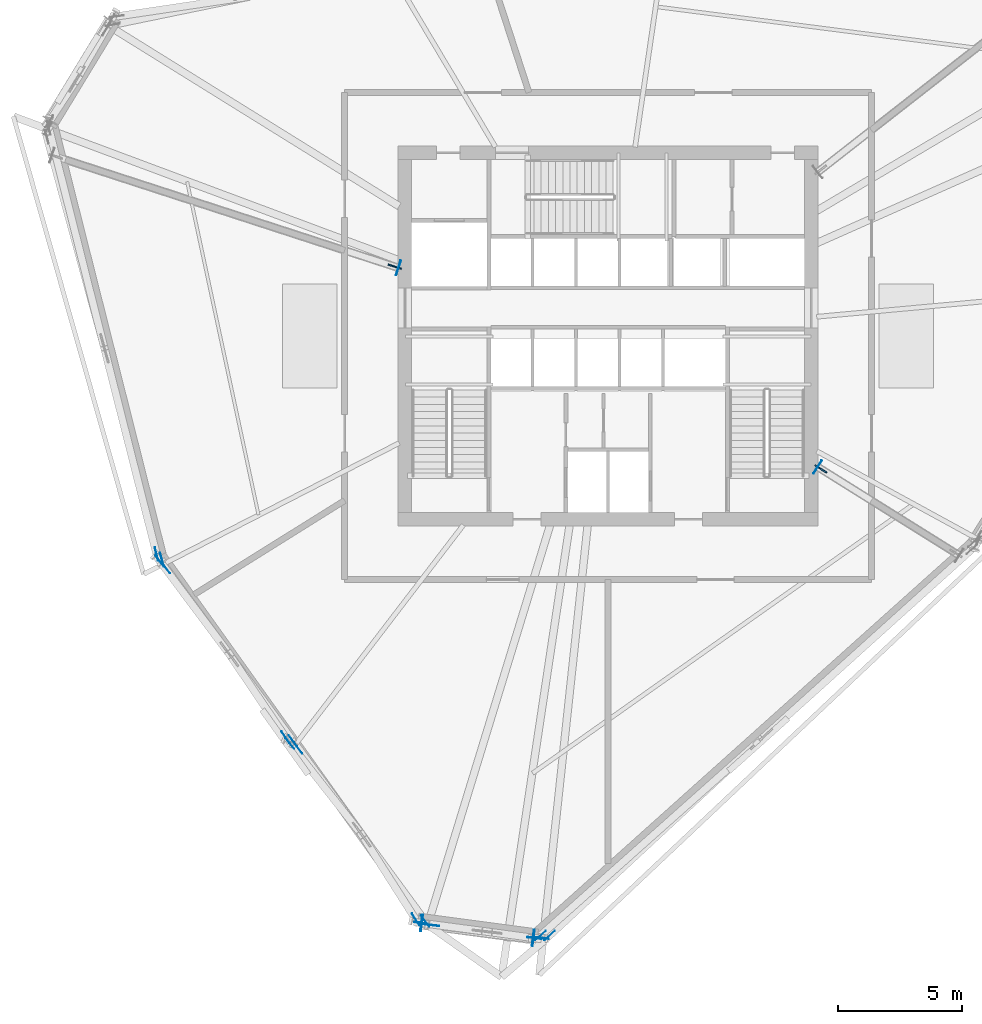
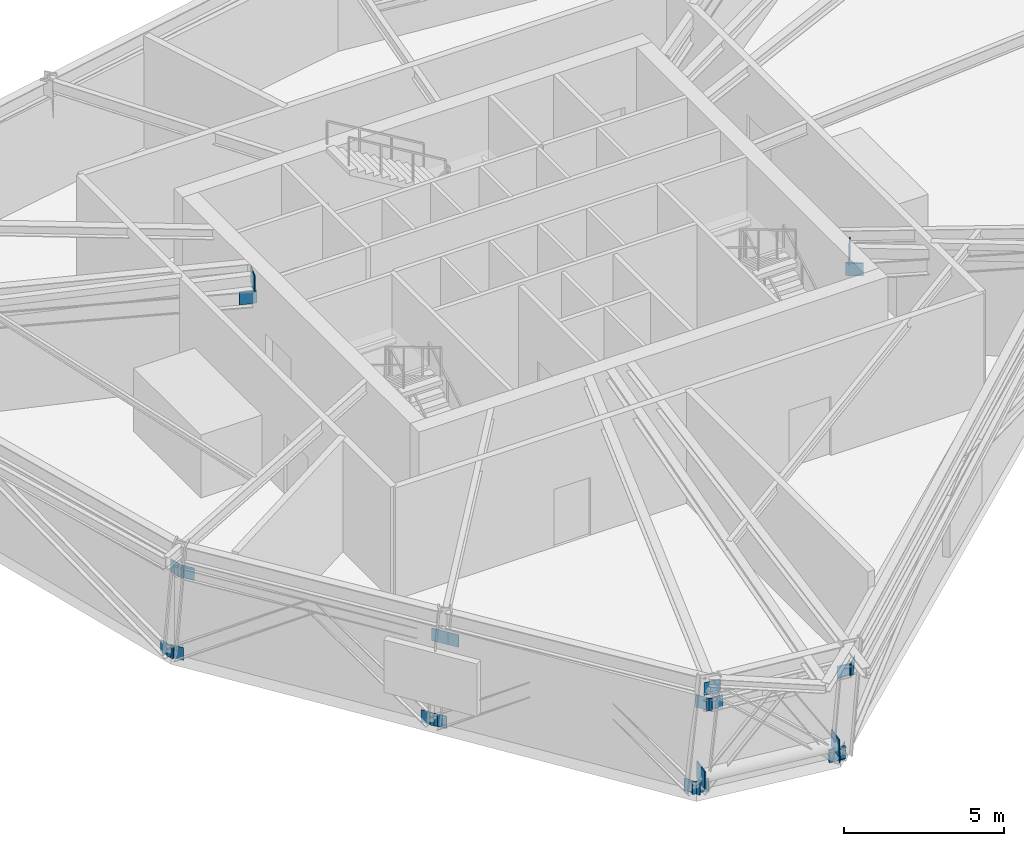
# One storey, part 5 of 14: 24 plates.
"""IFC4 building model written with IfcOpenShell, lengths in metres."""

from ifc_helpers import new_model, si_unit, direction, frame, origin, origin_2d, place, context, subcontext, project, spatial, rectangle, extrude, source, transform, mapped, material, type_object, element, save


model = new_model("IFC4")

# Units and contexts
model_context = context("Model", 3, precision=1e-05, world=origin(), true_north=direction((0.0, 1.0)))
body_context = subcontext(model_context, "Body", "Model", "MODEL_VIEW")
ifc_project = project(units=[si_unit("LENGTHUNIT", "METRE"), si_unit("AREAUNIT", "SQUARE_METRE"), si_unit("VOLUMEUNIT", "CUBIC_METRE"), si_unit("PLANEANGLEUNIT", "RADIAN"), si_unit("MASSUNIT", "GRAM", prefix="KILO")], contexts=[model_context])

# Site, building, storey
site_placement = place(None, origin())
site = spatial("IfcSite", under=ifc_project, at=site_placement, CompositionType="ELEMENT")
building_placement = place(site_placement, origin())
building = spatial("IfcBuilding", under=site, at=building_placement, Name="Olszyna Solenne Hotel", CompositionType="ELEMENT")
storey_placement = place(building_placement, frame((0.0, 0.0, 142.10009765625)))
storey = spatial("IfcBuildingStorey", under=building, at=storey_placement, Name="L37", CompositionType="ELEMENT", Elevation=142.10009765625)

# Plates
ifc_material_1 = material(Name="Steel S460M", Category="steel")
plate_type_1 = type_object("IfcPlateType", Name="GP-CAP2", PredefinedType="USERDEFINED", material=ifc_material_1)
shared_shape_1 = source(origin(), body_context, "Body", "SweptSolid", [
    extrude(rectangle(XDim=0.030029296875, YDim=0.6201171875, at=origin_2d()), origin(), (0.0, 0.0, 1.0), 0.6201171875),
])
for number, where, z_axis, x_axis, name in (
    (1, (46.437255859375, 21.327880859375, 3.48974609375), (0.0, 0.0, 1.0), (0.848048096156, -0.529919264233, 0.0), "Hollow section end-cap plate GP-CAP2 CP-OC-OC-L37-01-1"),
    (2, (29.564208984375, 29.341064453125, 3.48974609375), (0.0, 0.0, 1.0), (-0.951056516295, 0.309016994375, 0.0), "Hollow section end-cap plate GP-CAP2 CP-OC-OC-L37-03-1"),
):
    element("IfcPlate", number, at=place(storey_placement, frame(where, z_axis=z_axis, x_axis=x_axis)), inside=storey, type_object=plate_type_1, Name=name, ObjectType="GUSSET_PLATE", PredefinedType="USERDEFINED", context=body_context, shape_type="MappedRepresentation", body=[
        mapped(shared_shape_1, transform((0.0, 0.0, 0.0), x_axis=(1.0, 0.0, 0.0), y_axis=(0.0, 1.0, 0.0), z_axis=(0.0, 0.0, 1.0), scale=1.0)),
    ])
ifc_material_2 = material(Name="Steel S355J2", Category="steel")
plate_type_2 = type_object("IfcPlateType", Name="GP-ND2", PredefinedType="USERDEFINED", material=ifc_material_2)
shared_shape_2 = source(origin(), body_context, "Body", "SweptSolid", [
    extrude(rectangle(XDim=0.56005859375, YDim=0.02001953125, at=origin_2d()), origin(), (0.0, 0.0, 1.0), 0.47998046875),
])
for number, where, z_axis, x_axis, name in (
    (3, (35.04638671875, 2.363037109375, -0.1376953125), (0.0, 0.0, 1.0), (-0.992180189642, 0.124813746365, 0.0), "Brace end connection gusset plate GP-ND2 EP-BR-L37-3-1"),
    (4, (30.85009765625, 2.890625, 3.58740234375), (0.0, 0.0, 1.0), (-0.992180189642, 0.124813746365, 0.0), "Brace end connection gusset plate GP-ND2 EP-BR-L37-3-2"),
    (5, (20.047607421875, 17.592041015625, 2.9599609375), (0.0, 0.0, 1.0), (0.262694424132, -0.964879080263, 0.0), "Brace end connection gusset plate GP-ND2 EP-CH-L37-06-2"),
    (6, (19.825927734375, 17.826171875, -0.171875), (0.0, 0.0, 1.0), (-0.245476582274, 0.969402520914, 0.0), "Brace end connection gusset plate GP-ND2 EP-BT-L37-06-2-1"),
    (7, (20.201416015625, 17.273193359375, 2.9599609375), (0.0, 0.0, 1.0), (0.591591114605, -0.806238149135, 0.0), "Brace end connection gusset plate GP-ND2 EP-CH-L37-07-1"),
    (8, (25.31396484375, 10.30615234375, 2.9599609375), (0.0, 0.0, 1.0), (0.591591114605, -0.806238149135, 0.0), "Brace end connection gusset plate GP-ND2 EP-CH-L37-07-2"),
    (9, (19.9609375, 17.533935546875, -0.142578125), (0.0, 0.0, 1.0), (0.598464436629, -0.801149373145, 0.0), "Brace end connection gusset plate GP-ND2 EP-BT-L37-07-1-1"),
    (10, (25.018310546875, 10.450439453125, -0.135009765625), (0.0, 0.0, 1.0), (-0.560638994563, 0.828060334622, 0.0), "Brace end connection gusset plate GP-ND2 EP-BT-L37-07-2-1"),
    (11, (25.527099609375, 10.015869140625, 2.9599609375), (0.0, 0.0, 1.0), (0.591591114605, -0.806238149135, 0.0), "Brace end connection gusset plate GP-ND2 EP-CH-L37-08-1"),
    (12, (30.639404296875, 3.048828125, 2.9599609375), (0.0, 0.0, 1.0), (0.591591114605, -0.806238149135, 0.0), "Brace end connection gusset plate GP-ND2 EP-CH-L37-08-2"),
    (13, (25.198974609375, 10.20166015625, -0.142578125), (0.0, 0.0, 1.0), (0.617996836899, -0.786180583316, 0.0), "Brace end connection gusset plate GP-ND2 EP-BT-L37-08-1-1"),
    (14, (30.256591796875, 3.1181640625, -0.135009765625), (0.0, 0.0, 1.0), (-0.537005176466, 0.843578947371, 0.0), "Brace end connection gusset plate GP-ND2 EP-BT-L37-08-2-1"),
    (15, (30.9248046875, 2.8828125, 2.9599609375), (0.0, 0.0, 1.0), (0.993170649538, -0.116670737099, 0.0), "Brace end connection gusset plate GP-ND2 EP-CH-L37-09-1"),
    (16, (35.3369140625, 2.364501953125, 2.9599609375), (0.0, 0.0, 1.0), (0.993170649538, -0.116670737099, 0.0), "Brace end connection gusset plate GP-ND2 EP-CH-L37-09-2"),
    (17, (30.470458984375, 2.974609375, -0.114501953125), (0.0, 0.0, 1.0), (0.991399238736, -0.130872263805, 0.0), "Brace end connection gusset plate GP-ND2 EP-BT-L37-09-1-1"),
    (18, (35.037353515625, 2.365234375, -0.1015625), (0.0, 0.0, 1.0), (-0.99093636934, 0.134332095642, 0.0), "Brace end connection gusset plate GP-ND2 EP-BT-L37-09-2-1"),
    (19, (35.6474609375, 2.4658203125, 2.9599609375), (0.0, 0.0, 1.0), (0.733136660803, 0.680081345566, 0.0), "Brace end connection gusset plate GP-ND2 EP-CH-L37-10-1"),
    (20, (35.281494140625, 2.466552734375, -0.184326171875), (0.0, 0.0, 1.0), (0.747218420912, 0.664578536706, 0.0), "Brace end connection gusset plate GP-ND2 EP-BT-L37-10-1-1"),
):
    element("IfcPlate", number, at=place(storey_placement, frame(where, z_axis=z_axis, x_axis=x_axis)), inside=storey, type_object=plate_type_2, Name=name, ObjectType="GUSSET_PLATE", PredefinedType="USERDEFINED", context=body_context, shape_type="MappedRepresentation", body=[
        mapped(shared_shape_2, transform((0.0, 0.0, 0.0), x_axis=(1.0, 0.0, 0.0), y_axis=(0.0, 1.0, 0.0), z_axis=(0.0, 0.0, 1.0), scale=1.0)),
    ])
plate_type_3 = type_object("IfcPlateType", Name="GP-ND1", PredefinedType="USERDEFINED", material=ifc_material_1)
shared_shape_3 = source(origin(), body_context, "Body", "SweptSolid", [
    extrude(rectangle(XDim=0.56005859375, YDim=0.06005859375, at=origin_2d()), origin(), (0.0, 0.0, 1.0), 0.47998046875),
])
for number, where, z_axis, x_axis, name in (
    (21, (46.568115234375, 21.24609375, 2.87451171875), (0.0, 0.0, 1.0), (0.848048096156, -0.529919264233, 0.0), "Brace end connection gusset plate GP-ND1 EP-OU-L37-01-1"),
    (22, (29.4169921875, 29.388916015625, 2.86669921875), (0.0, 0.0, 1.0), (-0.951056516295, 0.309016994375, 0.0), "Brace end connection gusset plate GP-ND1 EP-OU-L37-03-1"),
):
    element("IfcPlate", number, at=place(storey_placement, frame(where, z_axis=z_axis, x_axis=x_axis)), inside=storey, type_object=plate_type_3, Name=name, ObjectType="GUSSET_PLATE", PredefinedType="USERDEFINED", context=body_context, shape_type="MappedRepresentation", body=[
        mapped(shared_shape_3, transform((0.0, 0.0, 0.0), x_axis=(1.0, 0.0, 0.0), y_axis=(0.0, 1.0, 0.0), z_axis=(0.0, 0.0, 1.0), scale=1.0)),
    ])
plate_type_4 = type_object("IfcPlateType", Name="GP-CAP1", PredefinedType="USERDEFINED", material=ifc_material_1)
shared_shape_4 = source(origin(), body_context, "Body", "SweptSolid", [
    extrude(rectangle(XDim=0.0400390625, YDim=0.659912109375, at=origin_2d()), origin(), (0.0, 0.0, 1.0), 0.659912109375),
])
for number, where, z_axis, x_axis, name in (
    (23, (30.498291015625, 2.970703125, 0.2197265625), (0.0, 0.0, 1.0), (0.991215540252, -0.132256390257, 0.0), "Hollow section end-cap plate GP-CAP1 CP-CTB-CTB-L37-3-1"),
    (24, (34.9921875, 2.37109375, 0.2197265625), (0.0, 0.0, 1.0), (0.991215540252, -0.132256390257, 0.0), "Hollow section end-cap plate GP-CAP1 CP-CTB-CTB-L37-3-2"),
):
    element("IfcPlate", number, at=place(storey_placement, frame(where, z_axis=z_axis, x_axis=x_axis)), inside=storey, type_object=plate_type_4, Name=name, ObjectType="GUSSET_PLATE", PredefinedType="USERDEFINED", context=body_context, shape_type="MappedRepresentation", body=[
        mapped(shared_shape_4, transform((0.0, 0.0, 0.0), x_axis=(1.0, 0.0, 0.0), y_axis=(0.0, 1.0, 0.0), z_axis=(0.0, 0.0, 1.0), scale=1.0)),
    ])

save(model, "model.ifc")
